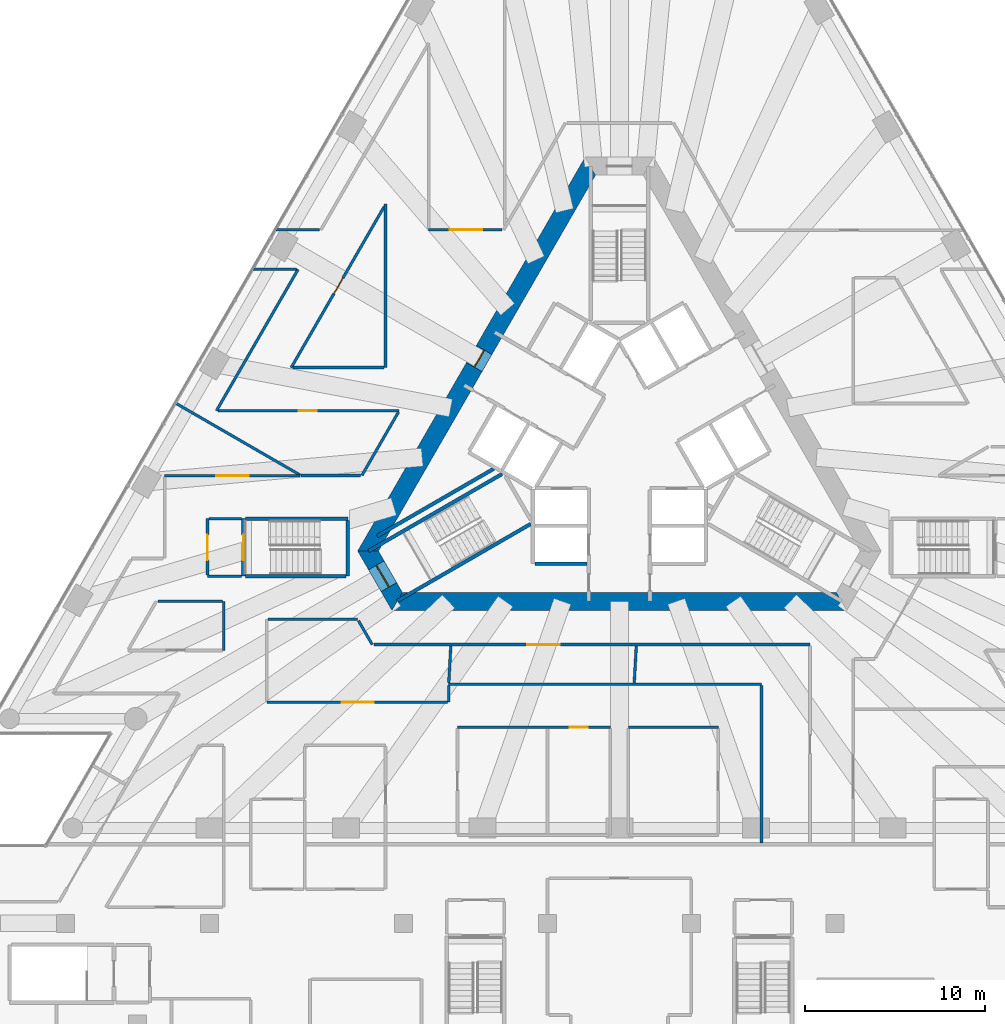
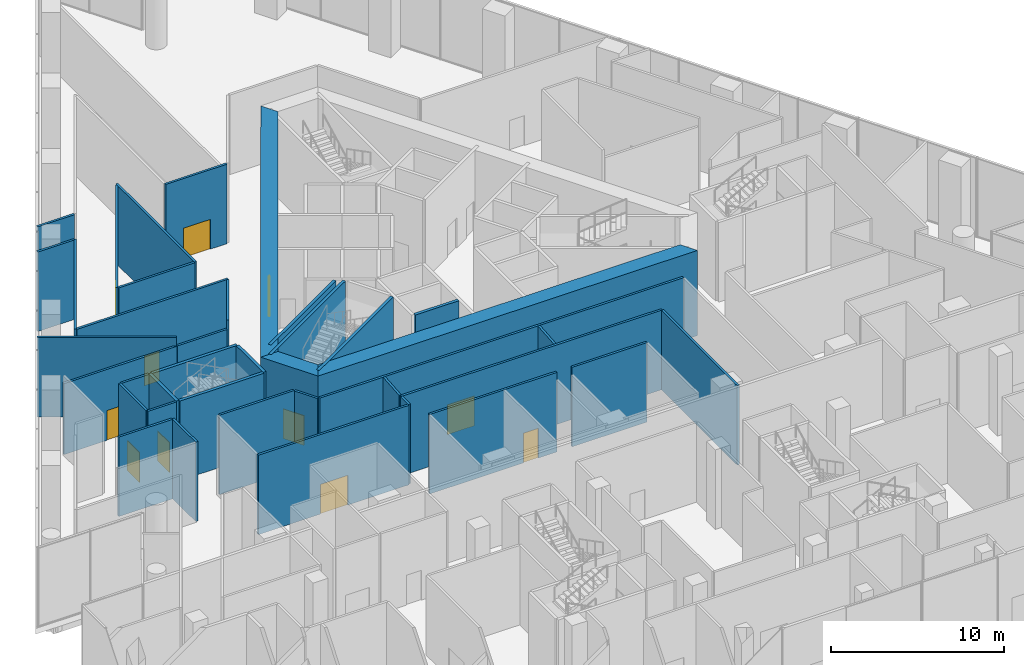
# One storey, part 25 of 36: 39 walls, 11 doors, 11 openings.
"""IFC4 building model written with IfcOpenShell, lengths in metres."""

from ifc_helpers import new_model, si_unit, direction, frame, frame_2d, origin, place, context, subcontext, project, spatial, polyline, rectangle, outline, extrude, material, layer, layer_set, type_object, element, fill, save


model = new_model("IFC4")

# Units and contexts
model_context = context("Model", 3, precision=1e-05, world=origin(), true_north=direction((0.0, 1.0)))
body_context = subcontext(model_context, "Body", "Model", "MODEL_VIEW")
ifc_project = project(units=[si_unit("LENGTHUNIT", "METRE"), si_unit("AREAUNIT", "SQUARE_METRE"), si_unit("VOLUMEUNIT", "CUBIC_METRE"), si_unit("PLANEANGLEUNIT", "RADIAN"), si_unit("MASSUNIT", "GRAM", prefix="KILO")], contexts=[model_context])

# Site, building, storey
site_placement = place(None, origin())
site = spatial("IfcSite", under=ifc_project, at=site_placement, CompositionType="ELEMENT")
building_placement = place(site_placement, origin())
building = spatial("IfcBuilding", under=site, at=building_placement, Name="Triada Interchange Tower", CompositionType="ELEMENT")
storey_placement = place(building_placement, frame((0.0, 0.0, 8.5)))
storey = spatial("IfcBuildingStorey", under=building, at=storey_placement, Name="L01", CompositionType="ELEMENT", Elevation=8.5)

# Walls
ifc_material_1 = material(Name="Concrete C30/37", Category="concrete")
ifc_layer_1 = layer(ifc_material_1, 0.199951171875)
ifc_layer_set_1 = layer_set([ifc_layer_1], Name="CORE WALL 200 EI 120")
wall_type_1 = type_object("IfcWallType", Name="CORE WALL 200 EI 120", PredefinedType="SOLIDWALL", material=ifc_layer_set_1)
wall_1_placement = place(storey_placement, frame((-4.699951171875, -6.89990234375, 0.0), z_axis=(0.0, 0.0, 1.0), x_axis=(1.0, 0.0, 0.0)))
element("IfcWall", 1, at=wall_1_placement, inside=storey, type_object=wall_type_1, Name="Wall L01 192", PredefinedType="SOLIDWALL", context=body_context, shape_type="SweptSolid", body=[
    extrude(rectangle(XDim=2.89990234375, YDim=0.199951171875, at=frame_2d((1.449951171875, 0.0))), origin(), (0.0, 0.0, 1.0), 5.60009765625),
])
ifc_layer_2 = layer(ifc_material_1, 0.199951171875)
ifc_layer_set_2 = layer_set([ifc_layer_2], Name="CORE WALL 200 EI 90")
wall_type_2 = type_object("IfcWallType", Name="CORE WALL 200 EI 90", PredefinedType="SOLIDWALL", material=ifc_layer_set_2)
wall_2_placement = place(storey_placement, frame((-13.470947265625, -5.3720703125, 0.0), z_axis=(0.0, 0.0, 1.0), x_axis=(0.866012469592, 0.50002240201, 0.0)))
element("IfcWall", 2, at=wall_2_placement, inside=storey, type_object=wall_type_2, Name="Wall L01 224", PredefinedType="SOLIDWALL", context=body_context, shape_type="SweptSolid", body=[
    extrude(rectangle(XDim=7.491943359375, YDim=0.199951171875, at=frame_2d((3.74609375, 0.0))), origin(), (0.0, 0.0, 1.0), 5.60009765625),
])
ifc_layer_3 = layer(ifc_material_1, 0.199951171875)
ifc_layer_set_3 = layer_set([ifc_layer_3], Name="CORE WALL 200 REI 240")
wall_type_3 = type_object("IfcWallType", Name="CORE WALL 200 REI 240", PredefinedType="SOLIDWALL", material=ifc_layer_set_3)
wall_3_placement = place(storey_placement, frame((-13.946044921875, -6.2041015625, 0.0), z_axis=(0.0, 0.0, 1.0), x_axis=(0.866036527536, 0.499980732602, 0.0)))
element("IfcWall", 3, at=wall_3_placement, inside=storey, type_object=wall_type_3, Name="Wall L01 226", PredefinedType="SOLIDWALL", context=body_context, shape_type="SweptSolid", body=[
    extrude(rectangle(XDim=8.564208984375, YDim=0.199951171875, at=frame_2d((4.2822265625, 0.0))), origin(), (0.0, 0.0, 1.0), 5.60009765625),
])
wall_4_placement = place(storey_placement, frame((-12.345947265625, -8.97607421875, 0.0), z_axis=(0.0, 0.0, 1.0), x_axis=(0.865987152174, 0.50006624788, 0.0)))
element("IfcWall", 4, at=wall_4_placement, inside=storey, type_object=wall_type_3, Name="Wall L01 228", PredefinedType="SOLIDWALL", context=body_context, shape_type="SweptSolid", body=[
    extrude(rectangle(XDim=8.564697265625, YDim=0.199951171875, at=frame_2d((4.2822265625, 0.0))), origin(), (0.0, 0.0, 1.0), 5.60009765625),
])

# Wall, opening, door
wall_5_placement = place(storey_placement, frame((-20.89990234375, -7.60009765625, 0.0), z_axis=(0.0, 0.0, 1.0), x_axis=(0.0, 1.0, 0.0)))
wall_5 = element("IfcWall", 5, at=wall_5_placement, inside=storey, type_object=wall_type_3, Name="Wall L01 241", PredefinedType="SOLIDWALL", context=body_context, shape_type="SweptSolid", body=[
    extrude(rectangle(XDim=3.2001953125, YDim=0.199951171875, at=frame_2d((1.60009765625, 0.0))), origin(), (0.0, 0.0, 1.0), 5.60009765625),
])
opening_1_placement = place(wall_5_placement, frame((0.89990234375, 0.0, 0.0)))
opening_1 = element("IfcOpeningElement", 6, at=opening_1_placement, cuts=wall_5, Name="Opening D01-19", PredefinedType="OPENING", context=body_context, shape_type="SweptSolid", body=[
    extrude(rectangle(XDim=1.39990234375, YDim=2.10009765625, at=frame_2d((0.699951171875, 1.050048828125))), frame((0.0, 0.10986328125, 0.0), z_axis=(0.0, -1.0, 0.0), x_axis=(1.0, 0.0, 0.0)), (0.0, 0.0, 1.0), 0.219970703125),
])
ifc_material_2 = material(Name="Steel S235 door leaf", Category="steel")
door_type_1 = type_object("IfcDoorType", Name="STAIR DOOR 1400 EI2 90-C5S200", OperationType="DOUBLE_DOOR_SINGLE_SWING", PredefinedType="DOOR", material=ifc_material_2)
door_1_placement = place(opening_1_placement, origin())
door_1 = element("IfcDoor", 7, at=door_1_placement, inside=storey, type_object=door_type_1, Name="Door D01-19 L01", OperationType="DOUBLE_DOOR_SINGLE_SWING", OverallHeight=2.10009765625, OverallWidth=1.39990234375, PredefinedType="DOOR", context=body_context, shape_type="SweptSolid", body=[
    extrude(rectangle(XDim=1.39990234375, YDim=2.10009765625, at=frame_2d((0.699951171875, 1.050048828125))), frame((0.0, 0.02490234375, 0.0), z_axis=(0.0, -1.0, 0.0), x_axis=(1.0, 0.0, 0.0)), (0.0, 0.0, 1.0), 0.050048828125),
])
fill(opening_1, door_1)

# Walls
wall_6_placement = place(storey_placement, frame((-20.800048828125, -4.39990234375, 0.0), z_axis=(0.0, 0.0, 1.0), x_axis=(1.0, 0.0, 0.0)))
element("IfcWall", 8, at=wall_6_placement, inside=storey, type_object=wall_type_3, Name="Wall L01 242", PredefinedType="SOLIDWALL", context=body_context, shape_type="SweptSolid", body=[
    extrude(rectangle(XDim=5.699951171875, YDim=0.199951171875, at=frame_2d((2.85009765625, 0.0))), origin(), (0.0, 0.0, 1.0), 5.60009765625),
])
wall_7_placement = place(storey_placement, frame((-15.10009765625, -7.60009765625, 0.0), z_axis=(0.0, 0.0, 1.0), x_axis=(0.0, 1.0, 0.0)))
element("IfcWall", 9, at=wall_7_placement, inside=storey, type_object=wall_type_3, Name="Wall L01 244", PredefinedType="SOLIDWALL", context=body_context, shape_type="SweptSolid", body=[
    extrude(rectangle(XDim=3.10009765625, YDim=0.199951171875, at=frame_2d((1.550048828125, 0.0))), origin(), (0.0, 0.0, 1.0), 5.60009765625),
])
wall_8_placement = place(storey_placement, frame((-20.800048828125, -7.60009765625, 0.0), z_axis=(0.0, 0.0, 1.0), x_axis=(1.0, 0.0, 0.0)))
element("IfcWall", 10, at=wall_8_placement, inside=storey, type_object=wall_type_3, Name="Wall L01 245", PredefinedType="SOLIDWALL", context=body_context, shape_type="SweptSolid", body=[
    extrude(rectangle(XDim=5.60009765625, YDim=0.199951171875, at=frame_2d((2.800048828125, 0.0))), origin(), (0.0, 0.0, 1.0), 5.60009765625),
])

# Wall, opening, door
ifc_material_3 = material(Name="Concrete C70/85", Category="concrete")
ifc_layer_4 = layer(ifc_material_3, 1.0)
ifc_layer_set_4 = layer_set([ifc_layer_4], Name="Core wall P 1000")
wall_type_4 = type_object("IfcWallType", Name="Core wall P 1000", PredefinedType="SHEAR", material=ifc_layer_set_4)
wall_9_placement = place(storey_placement, frame((-1.616943359375, 15.199951171875, -0.39990234375), z_axis=(0.0, 0.0, 1.0), x_axis=(-0.499992141631, -0.866029940768, 0.0)))
wall_9 = element("IfcWall", 11, at=wall_9_placement, inside=storey, type_object=wall_type_4, Name="Core wall WP02 L01", PredefinedType="SHEAR", context=body_context, shape_type="SweptSolid", body=[
    extrude(outline(polyline([(-0.2890625, -0.4990234375), (1.65625, -0.4990234375), (3.601318359375, -0.499267578125), (5.546630859375, -0.499267578125), (7.491943359375, -0.499267578125), (9.43701171875, -0.49951171875), (11.38232421875, -0.49951171875), (13.32763671875, -0.49951171875), (15.27294921875, -0.49951171875), (17.218017578125, -0.499755859375), (19.163330078125, -0.499755859375), (21.108642578125, -0.499755859375), (23.0537109375, -0.5), (24.9990234375, -0.5), (24.422119140625, 0.5), (22.565673828125, 0.5), (20.709228515625, 0.5), (18.85302734375, 0.5), (16.99658203125, 0.5), (15.14013671875, 0.5), (13.28369140625, 0.5), (11.427490234375, 0.5), (9.571044921875, 0.5), (7.714599609375, 0.5), (5.858154296875, 0.5), (4.001953125, 0.5), (2.1455078125, 0.5), (0.2890625, 0.5), (-0.2890625, -0.4990234375)])), origin(), (0.0, 0.0, 1.0), 6.0),
])
opening_2_placement = place(wall_9_placement, frame((11.804931640625, 0.0, 0.39990234375)))
opening_2 = element("IfcOpeningElement", 12, at=opening_2_placement, cuts=wall_9, Name="Opening D01-74", PredefinedType="OPENING", context=body_context, shape_type="SweptSolid", body=[
    extrude(rectangle(XDim=1.10009765625, YDim=2.10009765625, at=frame_2d((0.550048828125, 1.050048828125))), frame((0.0, 0.510009765625, 0.0), z_axis=(0.0, -1.0, 0.0), x_axis=(1.0, 0.0, 0.0)), (0.0, 0.0, 1.0), 1.02001953125),
])
door_type_2 = type_object("IfcDoorType", Name="FIRE LOBBY DOOR 1100 EI2 90-C5S200", OperationType="NOTDEFINED", PredefinedType="DOOR", material=ifc_material_2)
door_2_placement = place(opening_2_placement, origin())
door_2 = element("IfcDoor", 13, at=door_2_placement, inside=storey, type_object=door_type_2, Name="Door D01-74 L01", OperationType="SINGLE_SWING_LEFT", OverallHeight=2.10009765625, OverallWidth=1.10009765625, PredefinedType="DOOR", context=body_context, shape_type="SweptSolid", body=[
    extrude(rectangle(XDim=1.10009765625, YDim=2.10009765625, at=frame_2d((0.550048828125, 1.050048828125))), frame((0.0, 0.02490234375, 0.0), z_axis=(0.0, -1.0, 0.0), x_axis=(1.0, 0.0, 0.0)), (0.0, 0.0, 1.0), 0.050048828125),
])
fill(opening_2, door_2)

wall_10_placement = place(storey_placement, frame((-13.971923828125, -6.199951171875, -0.39990234375), z_axis=(0.0, 0.0, 1.0), x_axis=(0.500077567175, -0.865980615723, 0.0)))
wall_10 = element("IfcWall", 14, at=wall_10_placement, inside=storey, type_object=wall_type_4, Name="Core wall WP03 L01", PredefinedType="SHEAR", context=body_context, shape_type="SweptSolid", body=[
    extrude(outline(polyline([(-0.2890625, -0.5), (1.616455078125, -0.5), (3.52197265625, -0.5), (2.944091796875, 0.4990234375), (1.61669921875, 0.49951171875), (0.2890625, 0.5), (-0.2890625, -0.5)])), origin(), (0.0, 0.0, 1.0), 6.0),
])
opening_3_placement = place(wall_10_placement, frame((0.9169921875, 0.0, 0.39990234375)))
opening_3 = element("IfcOpeningElement", 15, at=opening_3_placement, cuts=wall_10, Name="Opening D01-72", PredefinedType="OPENING", context=body_context, shape_type="SweptSolid", body=[
    extrude(rectangle(XDim=1.39990234375, YDim=2.10009765625, at=frame_2d((0.699951171875, 1.050048828125))), frame((0.0, 0.510009765625, 0.0), z_axis=(0.0, -1.0, 0.0), x_axis=(1.0, 0.0, 0.0)), (0.0, 0.0, 1.0), 1.02001953125),
])
door_3_placement = place(opening_3_placement, origin())
door_3 = element("IfcDoor", 16, at=door_3_placement, inside=storey, type_object=door_type_1, Name="Door D01-72 L01", OperationType="DOUBLE_DOOR_SINGLE_SWING", OverallHeight=2.10009765625, OverallWidth=1.39990234375, PredefinedType="DOOR", context=body_context, shape_type="SweptSolid", body=[
    extrude(rectangle(XDim=1.39990234375, YDim=2.10009765625, at=frame_2d((0.699951171875, 1.050048828125))), frame((0.0, 0.02490234375, 0.0), z_axis=(0.0, -1.0, 0.0), x_axis=(1.0, 0.0, 0.0)), (0.0, 0.0, 1.0), 0.050048828125),
])
fill(opening_3, door_3)

# Walls
wall_11_placement = place(storey_placement, frame((-12.35498046875, -9.0, -0.39990234375), z_axis=(0.0, 0.0, 1.0), x_axis=(1.0, 0.0, 0.0)))
element("IfcWall", 17, at=wall_11_placement, inside=storey, type_object=wall_type_4, Name="Core wall WP04 L01", PredefinedType="SHEAR", context=body_context, shape_type="SweptSolid", body=[
    extrude(outline(polyline([(-0.2890625, -0.5), (1.65625, -0.5), (3.601318359375, -0.5), (5.546630859375, -0.5), (7.491943359375, -0.5), (9.43701171875, -0.5), (11.38232421875, -0.5), (13.32763671875, -0.5), (15.27294921875, -0.5), (17.218017578125, -0.5), (19.163330078125, -0.5), (21.108642578125, -0.5), (23.0537109375, -0.5), (24.9990234375, -0.5), (24.422119140625, 0.5), (22.565673828125, 0.5), (20.709228515625, 0.5), (18.852783203125, 0.5), (16.996337890625, 0.5), (15.139892578125, 0.5), (13.283447265625, 0.5), (11.4267578125, 0.5), (9.5703125, 0.5), (7.7138671875, 0.5), (5.857421875, 0.5), (4.0009765625, 0.5), (2.14453125, 0.5), (0.2880859375, 0.5), (-0.2890625, -0.5)])), origin(), (0.0, 0.0, 1.0), 6.0),
])
ifc_material_4 = material(Name="Gypsum board partition")
ifc_layer_5 = layer(ifc_material_4, 0.14990234375)
ifc_layer_set_5 = layer_set([ifc_layer_5], Name="PARTITION 150 EI 180")
wall_type_5 = type_object("IfcWallType", Name="PARTITION 150 EI 180", PredefinedType="PARTITIONING", material=ifc_layer_set_5)
wall_12_placement = place(storey_placement, frame((-22.89990234375, -7.60009765625, 0.0), z_axis=(0.0, 0.0, 1.0), x_axis=(1.0, 0.0, 0.0)))
element("IfcWall", 18, at=wall_12_placement, inside=storey, type_object=wall_type_5, Name="Wall L01 6", PredefinedType="PARTITIONING", context=body_context, shape_type="SweptSolid", body=[
    extrude(rectangle(XDim=1.89990234375, YDim=0.14990234375, at=frame_2d((0.949951171875, 0.0))), origin(), (0.0, 0.0, 1.0), 5.60009765625),
])

# Wall, opening, door
wall_13_placement = place(storey_placement, frame((-22.89990234375, -7.52490234375, 0.0), z_axis=(0.0, 0.0, 1.0), x_axis=(0.0, 1.0, 0.0)))
wall_13 = element("IfcWall", 19, at=wall_13_placement, inside=storey, type_object=wall_type_5, Name="Wall L01 8", PredefinedType="PARTITIONING", context=body_context, shape_type="SweptSolid", body=[
    extrude(rectangle(XDim=3.125, YDim=0.14990234375, at=frame_2d((1.5625, 0.0))), origin(), (0.0, 0.0, 1.0), 5.60009765625),
])
opening_4_placement = place(wall_13_placement, frame((0.824951171875, 0.0, 0.0)))
opening_4 = element("IfcOpeningElement", 20, at=opening_4_placement, cuts=wall_13, Name="Opening D01-20", PredefinedType="OPENING", context=body_context, shape_type="SweptSolid", body=[
    extrude(rectangle(XDim=1.39990234375, YDim=2.10009765625, at=frame_2d((0.699951171875, 1.050048828125))), frame((0.0, 0.0849609375, 0.0), z_axis=(0.0, -1.0, 0.0), x_axis=(1.0, 0.0, 0.0)), (0.0, 0.0, 1.0), 0.169921875),
])
door_4_placement = place(opening_4_placement, origin())
door_4 = element("IfcDoor", 21, at=door_4_placement, inside=storey, type_object=door_type_1, Name="Door D01-20 L01", OperationType="DOUBLE_DOOR_SINGLE_SWING", OverallHeight=2.10009765625, OverallWidth=1.39990234375, PredefinedType="DOOR", context=body_context, shape_type="SweptSolid", body=[
    extrude(rectangle(XDim=1.39990234375, YDim=2.10009765625, at=frame_2d((0.699951171875, 1.050048828125))), frame((0.0, 0.02490234375, 0.0), z_axis=(0.0, -1.0, 0.0), x_axis=(1.0, 0.0, 0.0)), (0.0, 0.0, 1.0), 0.050048828125),
])
fill(opening_4, door_4)

# Wall
wall_14_placement = place(storey_placement, frame((-22.824951171875, -4.39990234375, 0.0), z_axis=(0.0, 0.0, 1.0), x_axis=(1.0, 0.0, 0.0)))
element("IfcWall", 22, at=wall_14_placement, inside=storey, type_object=wall_type_5, Name="Wall L01 9", PredefinedType="PARTITIONING", context=body_context, shape_type="SweptSolid", body=[
    extrude(rectangle(XDim=1.824951171875, YDim=0.14990234375, at=frame_2d((0.91259765625, 0.0))), origin(), (0.0, 0.0, 1.0), 5.60009765625),
])

# Wall, opening, door
ifc_layer_6 = layer(ifc_material_4, 0.14990234375)
ifc_layer_set_6 = layer_set([ifc_layer_6], Name="PARTITION 150 EI 90")
wall_type_6 = type_object("IfcWallType", Name="PARTITION 150 EI 90", PredefinedType="PARTITIONING", material=ifc_layer_set_6)
wall_15_placement = place(storey_placement, frame((-25.280029296875, -2.02001953125, 0.0), z_axis=(0.0, 0.0, 1.0), x_axis=(1.0, 0.0, 0.0)))
wall_15 = element("IfcWall", 23, at=wall_15_placement, inside=storey, type_object=wall_type_6, Name="Wall L01 57", PredefinedType="PARTITIONING", context=body_context, shape_type="SweptSolid", body=[
    extrude(rectangle(XDim=7.532958984375, YDim=0.14990234375, at=frame_2d((3.7666015625, 0.0))), origin(), (0.0, 0.0, 1.0), 5.0),
])
opening_5_placement = place(wall_15_placement, frame((2.865966796875, 0.0, 0.0)))
opening_5 = element("IfcOpeningElement", 24, at=opening_5_placement, cuts=wall_15, Name="Opening D01-62", PredefinedType="OPENING", context=body_context, shape_type="SweptSolid", body=[
    extrude(rectangle(XDim=1.800048828125, YDim=2.10009765625, at=frame_2d((0.89990234375, 1.050048828125))), frame((0.0, 0.0849609375, 0.0), z_axis=(0.0, -1.0, 0.0), x_axis=(1.0, 0.0, 0.0)), (0.0, 0.0, 1.0), 0.169921875),
])
door_type_3 = type_object("IfcDoorType", Name="SHOP AND HALL ENTRANCE DOOR 1800 EI2 90-C5S200", OperationType="DOUBLE_DOOR_SINGLE_SWING", PredefinedType="DOOR", material=ifc_material_2)
door_5_placement = place(opening_5_placement, origin())
door_5 = element("IfcDoor", 25, at=door_5_placement, inside=storey, type_object=door_type_3, Name="Door D01-62 L01", OperationType="DOUBLE_DOOR_SINGLE_SWING", OverallHeight=2.10009765625, OverallWidth=1.800048828125, PredefinedType="DOOR", context=body_context, shape_type="SweptSolid", body=[
    extrude(rectangle(XDim=1.800048828125, YDim=2.10009765625, at=frame_2d((0.89990234375, 1.050048828125))), frame((0.0, 0.02490234375, 0.0), z_axis=(0.0, -1.0, 0.0), x_axis=(1.0, 0.0, 0.0)), (0.0, 0.0, 1.0), 0.050048828125),
])
fill(opening_5, door_5)

# Walls
wall_16_placement = place(storey_placement, frame((-22.40087890625, 1.60009765625, 0.0), z_axis=(0.0, 0.0, 1.0), x_axis=(0.499995671072, 0.866027903078, 0.0)))
element("IfcWall", 26, at=wall_16_placement, inside=storey, type_object=wall_type_6, Name="Wall L01 62", PredefinedType="PARTITIONING", context=body_context, shape_type="SweptSolid", body=[
    extrude(rectangle(XDim=9.07568359375, YDim=0.14990234375, at=frame_2d((4.537841796875, 0.0))), origin(), (0.0, 0.0, 1.0), 5.60009765625),
])
wall_17_placement = place(storey_placement, frame((-22.0, -11.72509765625, 0.0), z_axis=(0.0, 0.0, 1.0), x_axis=(0.0, 1.0, 0.0)))
element("IfcWall", 27, at=wall_17_placement, inside=storey, type_object=wall_type_6, Name="Wall L01 72", PredefinedType="PARTITIONING", context=body_context, shape_type="SweptSolid", body=[
    extrude(rectangle(XDim=2.72509765625, YDim=0.14990234375, at=frame_2d((1.362548828125, 0.0))), origin(), (0.0, 0.0, 1.0), 5.60009765625),
])
wall_18_placement = place(storey_placement, frame((-24.69189453125, 2.032958984375, 0.0), z_axis=(0.0, 0.0, 1.0), x_axis=(0.865998774365, -0.50004612067, 0.0)))
element("IfcWall", 28, at=wall_18_placement, inside=storey, type_object=wall_type_6, Name="Wall L01 84", PredefinedType="PARTITIONING", context=body_context, shape_type="SweptSolid", body=[
    extrude(rectangle(XDim=8.031005859375, YDim=0.14990234375, at=frame_2d((4.015625, 0.0))), origin(), (0.0, 0.0, 1.0), 5.60009765625),
])
wall_19_placement = place(storey_placement, frame((-20.403076171875, 9.4599609375, 0.0), z_axis=(0.0, 0.0, 1.0), x_axis=(1.0, 0.0, 0.0)))
element("IfcWall", 29, at=wall_19_placement, inside=storey, type_object=wall_type_6, Name="Wall L01 85", PredefinedType="PARTITIONING", context=body_context, shape_type="SweptSolid", body=[
    extrude(rectangle(XDim=2.4541015625, YDim=0.14990234375, at=frame_2d((1.22705078125, 0.0))), origin(), (0.0, 0.0, 1.0), 5.60009765625),
])

# Wall, opening, door
wall_20_placement = place(storey_placement, frame((-22.31494140625, 1.60009765625, 0.0), z_axis=(0.0, 0.0, 1.0), x_axis=(1.0, 0.0, 0.0)))
wall_20 = element("IfcWall", 30, at=wall_20_placement, inside=storey, type_object=wall_type_6, Name="Wall L01 87", PredefinedType="PARTITIONING", context=body_context, shape_type="SweptSolid", body=[
    extrude(rectangle(XDim=10.074951171875, YDim=0.14990234375, at=frame_2d((5.03759765625, 0.0))), origin(), (0.0, 0.0, 1.0), 5.60009765625),
])
opening_6_placement = place(wall_20_placement, frame((4.493896484375, 0.0, 0.0)))
opening_6 = element("IfcOpeningElement", 31, at=opening_6_placement, cuts=wall_20, Name="Opening D01-63", PredefinedType="OPENING", context=body_context, shape_type="SweptSolid", body=[
    extrude(rectangle(XDim=1.0, YDim=2.10009765625, at=frame_2d((0.5, 1.050048828125))), frame((0.0, 0.0849609375, 0.0), z_axis=(0.0, -1.0, 0.0), x_axis=(1.0, 0.0, 0.0)), (0.0, 0.0, 1.0), 0.169921875),
])
door_type_4 = type_object("IfcDoorType", Name="ROOM DOOR 1000 EI2 90-C5S200", OperationType="NOTDEFINED", PredefinedType="DOOR", material=ifc_material_2)
door_6_placement = place(opening_6_placement, origin())
door_6 = element("IfcDoor", 32, at=door_6_placement, inside=storey, type_object=door_type_4, Name="Door D01-63 L01", OperationType="SINGLE_SWING_RIGHT", OverallHeight=2.10009765625, OverallWidth=1.0, PredefinedType="DOOR", context=body_context, shape_type="SweptSolid", body=[
    extrude(rectangle(XDim=1.0, YDim=2.10009765625, at=frame_2d((0.5, 1.050048828125))), frame((0.0, 0.02490234375, 0.0), z_axis=(0.0, -1.0, 0.0), x_axis=(1.0, 0.0, 0.0)), (0.0, 0.0, 1.0), 0.050048828125),
])
fill(opening_6, door_6)

# Walls
wall_21_placement = place(storey_placement, frame((-14.318115234375, -2.0, 0.0), z_axis=(0.0, 0.0, 1.0), x_axis=(0.500009753642, 0.866019772443, 0.0)))
element("IfcWall", 33, at=wall_21_placement, inside=storey, type_object=wall_type_6, Name="Wall L01 88", PredefinedType="PARTITIONING", context=body_context, shape_type="SweptSolid", body=[
    extrude(rectangle(XDim=4.0703125, YDim=0.14990234375, at=frame_2d((2.03515625, 0.0))), origin(), (0.0, 0.0, 1.0), 5.60009765625),
])
wall_22_placement = place(storey_placement, frame((-17.7099609375, -2.0, 0.0), z_axis=(0.0, 0.0, 1.0), x_axis=(1.0, 0.0, 0.0)))
element("IfcWall", 34, at=wall_22_placement, inside=storey, type_object=wall_type_6, Name="Wall L01 90", PredefinedType="PARTITIONING", context=body_context, shape_type="SweptSolid", body=[
    extrude(rectangle(XDim=3.304931640625, YDim=0.14990234375, at=frame_2d((1.65234375, 0.0))), origin(), (0.0, 0.0, 1.0), 5.0),
])
wall_23_placement = place(storey_placement, frame((-19.133056640625, 11.659912109375, 0.0), z_axis=(0.0, 0.0, 1.0), x_axis=(1.0, 0.0, 0.0)))
element("IfcWall", 35, at=wall_23_placement, inside=storey, type_object=wall_type_6, Name="Wall L01 92", PredefinedType="PARTITIONING", context=body_context, shape_type="SweptSolid", body=[
    extrude(rectangle(XDim=2.4541015625, YDim=0.14990234375, at=frame_2d((1.22705078125, 0.0))), origin(), (0.0, 0.0, 1.0), 5.60009765625),
])

# Wall, opening, door
wall_24_placement = place(storey_placement, frame((-10.60009765625, 11.659912109375, 0.0), z_axis=(0.0, 0.0, 1.0), x_axis=(1.0, 0.0, 0.0)))
wall_24 = element("IfcWall", 36, at=wall_24_placement, inside=storey, type_object=wall_type_6, Name="Wall L01 93", PredefinedType="PARTITIONING", context=body_context, shape_type="SweptSolid", body=[
    extrude(rectangle(XDim=4.08203125, YDim=0.14990234375, at=frame_2d((2.041015625, 0.0))), origin(), (0.0, 0.0, 1.0), 5.60009765625),
])
opening_7_placement = place(wall_24_placement, frame((1.1689453125, 0.0, 0.0)))
opening_7 = element("IfcOpeningElement", 37, at=opening_7_placement, cuts=wall_24, Name="Opening D01-64", PredefinedType="OPENING", context=body_context, shape_type="SweptSolid", body=[
    extrude(rectangle(XDim=1.800048828125, YDim=2.10009765625, at=frame_2d((0.89990234375, 1.050048828125))), frame((0.0, 0.0849609375, 0.0), z_axis=(0.0, -1.0, 0.0), x_axis=(1.0, 0.0, 0.0)), (0.0, 0.0, 1.0), 0.169921875),
])
door_7_placement = place(opening_7_placement, origin())
door_7 = element("IfcDoor", 38, at=door_7_placement, inside=storey, type_object=door_type_3, Name="Door D01-64 L01", OperationType="DOUBLE_DOOR_SINGLE_SWING", OverallHeight=2.10009765625, OverallWidth=1.800048828125, PredefinedType="DOOR", context=body_context, shape_type="SweptSolid", body=[
    extrude(rectangle(XDim=1.800048828125, YDim=2.10009765625, at=frame_2d((0.89990234375, 1.050048828125))), frame((0.0, 0.02490234375, 0.0), z_axis=(0.0, -1.0, 0.0), x_axis=(1.0, 0.0, 0.0)), (0.0, 0.0, 1.0), 0.050048828125),
])
fill(opening_7, door_7)

# Walls
wall_25_placement = place(storey_placement, frame((-13.0, 4.0, 0.0), z_axis=(0.0, 0.0, 1.0), x_axis=(0.0, 1.0, 0.0)))
element("IfcWall", 39, at=wall_25_placement, inside=storey, type_object=wall_type_6, Name="Wall L01 97", PredefinedType="PARTITIONING", context=body_context, shape_type="SweptSolid", body=[
    extrude(rectangle(XDim=9.0830078125, YDim=0.14990234375, at=frame_2d((4.54150390625, 0.0))), origin(), (0.0, 0.0, 1.0), 5.60009765625),
])
wall_26_placement = place(storey_placement, frame((-9.489013671875, -13.60009765625, 0.0), z_axis=(0.0, 0.0, 1.0), x_axis=(1.0, 0.0, 0.0)))
element("IfcWall", 40, at=wall_26_placement, inside=storey, type_object=wall_type_6, Name="Wall L01 109", PredefinedType="PARTITIONING", context=body_context, shape_type="SweptSolid", body=[
    extrude(rectangle(XDim=17.388916015625, YDim=0.14990234375, at=frame_2d((8.6943359375, 0.0))), origin(), (0.0, 0.0, 1.0), 5.60009765625),
])
wall_27_placement = place(storey_placement, frame((-9.485107421875, -13.52490234375, 0.0), z_axis=(0.0, 0.0, 1.0), x_axis=(0.055535883175, 0.99845669194, 0.0)))
element("IfcWall", 41, at=wall_27_placement, inside=storey, type_object=wall_type_6, Name="Wall L01 110", PredefinedType="PARTITIONING", context=body_context, shape_type="SweptSolid", body=[
    extrude(rectangle(XDim=2.052978515625, YDim=0.14990234375, at=frame_2d((1.0263671875, 0.0))), origin(), (0.0, 0.0, 1.0), 5.60009765625),
])
wall_28_placement = place(storey_placement, frame((-9.489013671875, -14.60009765625, 0.0), z_axis=(0.0, 0.0, 1.0), x_axis=(0.0, 1.0, 0.0)))
element("IfcWall", 42, at=wall_28_placement, inside=storey, type_object=wall_type_6, Name="Wall L01 111", PredefinedType="PARTITIONING", context=body_context, shape_type="SweptSolid", body=[
    extrude(rectangle(XDim=0.925048828125, YDim=0.14990234375, at=frame_2d((0.46240234375, 0.0))), origin(), (0.0, 0.0, 1.0), 5.60009765625),
])

# Wall, opening, door
wall_29_placement = place(storey_placement, frame((-19.60009765625, -14.60009765625, 0.0), z_axis=(0.0, 0.0, 1.0), x_axis=(1.0, 0.0, 0.0)))
wall_29 = element("IfcWall", 43, at=wall_29_placement, inside=storey, type_object=wall_type_6, Name="Wall L01 112", PredefinedType="PARTITIONING", context=body_context, shape_type="SweptSolid", body=[
    extrude(rectangle(XDim=10.0361328125, YDim=0.14990234375, at=frame_2d((5.01806640625, 0.0))), origin(), (0.0, 0.0, 1.0), 5.60009765625),
])
opening_8_placement = place(wall_29_placement, frame((4.156005859375, 0.0, 0.0)))
opening_8 = element("IfcOpeningElement", 44, at=opening_8_placement, cuts=wall_29, Name="Opening D01-57", PredefinedType="OPENING", context=body_context, shape_type="SweptSolid", body=[
    extrude(rectangle(XDim=1.800048828125, YDim=2.10009765625, at=frame_2d((0.89990234375, 1.050048828125))), frame((0.0, 0.0849609375, 0.0), z_axis=(0.0, -1.0, 0.0), x_axis=(1.0, 0.0, 0.0)), (0.0, 0.0, 1.0), 0.169921875),
])
door_8_placement = place(opening_8_placement, origin())
door_8 = element("IfcDoor", 45, at=door_8_placement, inside=storey, type_object=door_type_3, Name="Door D01-57 L01", OperationType="DOUBLE_DOOR_SINGLE_SWING", OverallHeight=2.10009765625, OverallWidth=1.800048828125, PredefinedType="DOOR", context=body_context, shape_type="SweptSolid", body=[
    extrude(rectangle(XDim=1.800048828125, YDim=2.10009765625, at=frame_2d((0.89990234375, 1.050048828125))), frame((0.0, 0.02490234375, 0.0), z_axis=(0.0, -1.0, 0.0), x_axis=(1.0, 0.0, 0.0)), (0.0, 0.0, 1.0), 0.050048828125),
])
fill(opening_8, door_8)

# Walls
wall_30_placement = place(storey_placement, frame((-19.52490234375, -10.0, 0.0), z_axis=(0.0, 0.0, 1.0), x_axis=(1.0, 0.0, 0.0)))
element("IfcWall", 46, at=wall_30_placement, inside=storey, type_object=wall_type_6, Name="Wall L01 114", PredefinedType="PARTITIONING", context=body_context, shape_type="SweptSolid", body=[
    extrude(rectangle(XDim=4.975830078125, YDim=0.14990234375, at=frame_2d((2.48779296875, 0.0))), origin(), (0.0, 0.0, 1.0), 5.60009765625),
])
wall_31_placement = place(storey_placement, frame((-14.506103515625, -10.074951171875, 0.0), z_axis=(0.0, 0.0, 1.0), x_axis=(0.500086174919, -0.865975644955, 0.0)))
element("IfcWall", 47, at=wall_31_placement, inside=storey, type_object=wall_type_6, Name="Wall L01 115", PredefinedType="PARTITIONING", context=body_context, shape_type="SweptSolid", body=[
    extrude(rectangle(XDim=1.530029296875, YDim=0.14990234375, at=frame_2d((0.76513671875, 0.0))), origin(), (0.0, 0.0, 1.0), 5.60009765625),
])

# Wall, opening, door
wall_32_placement = place(storey_placement, frame((-13.654052734375, -11.39990234375, 0.0), z_axis=(0.0, 0.0, 1.0), x_axis=(1.0, 0.0, 0.0)))
wall_32 = element("IfcWall", 48, at=wall_32_placement, inside=storey, type_object=wall_type_6, Name="Wall L01 116", PredefinedType="PARTITIONING", context=body_context, shape_type="SweptSolid", body=[
    extrude(rectangle(XDim=24.254150390625, YDim=0.14990234375, at=frame_2d((12.126953125, 0.0))), origin(), (0.0, 0.0, 1.0), 5.60009765625),
])
opening_9_placement = place(wall_32_placement, frame((8.54296875, 0.0, 0.0)))
opening_9 = element("IfcOpeningElement", 49, at=opening_9_placement, cuts=wall_32, Name="Opening D01-58", PredefinedType="OPENING", context=body_context, shape_type="SweptSolid", body=[
    extrude(rectangle(XDim=1.800048828125, YDim=2.10009765625, at=frame_2d((0.89990234375, 1.050048828125))), frame((0.0, 0.0849609375, 0.0), z_axis=(0.0, -1.0, 0.0), x_axis=(1.0, 0.0, 0.0)), (0.0, 0.0, 1.0), 0.169921875),
])
door_9_placement = place(opening_9_placement, origin())
door_9 = element("IfcDoor", 50, at=door_9_placement, inside=storey, type_object=door_type_3, Name="Door D01-58 L01", OperationType="DOUBLE_DOOR_SINGLE_SWING", OverallHeight=2.10009765625, OverallWidth=1.800048828125, PredefinedType="DOOR", context=body_context, shape_type="SweptSolid", body=[
    extrude(rectangle(XDim=1.800048828125, YDim=2.10009765625, at=frame_2d((0.89990234375, 1.050048828125))), frame((0.0, 0.02490234375, 0.0), z_axis=(0.0, -1.0, 0.0), x_axis=(1.0, 0.0, 0.0)), (0.0, 0.0, 1.0), 0.050048828125),
])
fill(opening_9, door_9)

wall_33_placement = place(storey_placement, frame((-9.0, -16.0, 0.0), z_axis=(0.0, 0.0, 1.0), x_axis=(1.0, 0.0, 0.0)))
wall_33 = element("IfcWall", 51, at=wall_33_placement, inside=storey, type_object=wall_type_6, Name="Wall L01 122", PredefinedType="PARTITIONING", context=body_context, shape_type="SweptSolid", body=[
    extrude(rectangle(XDim=8.5, YDim=0.14990234375, at=frame_2d((4.25, 0.0))), origin(), (0.0, 0.0, 1.0), 5.60009765625),
])
opening_10_placement = place(wall_33_placement, frame((6.25, 0.0, 0.0)))
opening_10 = element("IfcOpeningElement", 52, at=opening_10_placement, cuts=wall_33, Name="Opening D01-45", PredefinedType="OPENING", context=body_context, shape_type="SweptSolid", body=[
    extrude(rectangle(XDim=1.0, YDim=2.10009765625, at=frame_2d((0.5, 1.050048828125))), frame((0.0, 0.0849609375, 0.0), z_axis=(0.0, -1.0, 0.0), x_axis=(1.0, 0.0, 0.0)), (0.0, 0.0, 1.0), 0.169921875),
])
door_type_5 = type_object("IfcDoorType", Name="ROOM DOOR 1000 EI2 45-C5S200", OperationType="NOTDEFINED", PredefinedType="DOOR", material=ifc_material_2)
door_10_placement = place(opening_10_placement, origin())
door_10 = element("IfcDoor", 53, at=door_10_placement, inside=storey, type_object=door_type_5, Name="Door D01-45 L01", OperationType="SINGLE_SWING_LEFT", OverallHeight=2.10009765625, OverallWidth=1.0, PredefinedType="DOOR", context=body_context, shape_type="SweptSolid", body=[
    extrude(rectangle(XDim=1.0, YDim=2.10009765625, at=frame_2d((0.5, 1.050048828125))), frame((0.0, 0.02490234375, 0.0), z_axis=(0.0, -1.0, 0.0), x_axis=(1.0, 0.0, 0.0)), (0.0, 0.0, 1.0), 0.050048828125),
])
fill(opening_10, door_10)

# Walls
wall_34_placement = place(storey_placement, frame((0.5, -16.0, 0.0), z_axis=(0.0, 0.0, 1.0), x_axis=(1.0, 0.0, 0.0)))
element("IfcWall", 54, at=wall_34_placement, inside=storey, type_object=wall_type_6, Name="Wall L01 123", PredefinedType="PARTITIONING", context=body_context, shape_type="SweptSolid", body=[
    extrude(rectangle(XDim=5.0, YDim=0.14990234375, at=frame_2d((2.5, 0.0))), origin(), (0.0, 0.0, 1.0), 5.60009765625),
])
wall_35_placement = place(storey_placement, frame((7.89990234375, -22.425048828125, 0.0), z_axis=(0.0, 0.0, 1.0), x_axis=(0.0, 1.0, 0.0)))
element("IfcWall", 55, at=wall_35_placement, inside=storey, type_object=wall_type_6, Name="Wall L01 130", PredefinedType="PARTITIONING", context=body_context, shape_type="SweptSolid", body=[
    extrude(rectangle(XDim=8.75, YDim=0.14990234375, at=frame_2d((4.375, 0.0))), origin(), (0.0, 0.0, 1.0), 5.60009765625),
])
wall_36_placement = place(storey_placement, frame((0.826904296875, -13.52490234375, 0.0), z_axis=(0.0, 0.0, 1.0), x_axis=(0.055535883175, 0.99845669194, 0.0)))
element("IfcWall", 56, at=wall_36_placement, inside=storey, type_object=wall_type_6, Name="Wall L01 131", PredefinedType="PARTITIONING", context=body_context, shape_type="SweptSolid", body=[
    extrude(rectangle(XDim=2.052978515625, YDim=0.14990234375, at=frame_2d((1.0263671875, 0.0))), origin(), (0.0, 0.0, 1.0), 5.60009765625),
])

# Wall, opening, door
wall_37_placement = place(storey_placement, frame((-18.243896484375, 4.0, 0.0), z_axis=(0.0, 0.0, 1.0), x_axis=(0.499999792389, 0.866025523649, 0.0)))
wall_37 = element("IfcWall", 57, at=wall_37_placement, inside=storey, type_object=wall_type_6, Name="Wall L01 172", PredefinedType="PARTITIONING", context=body_context, shape_type="SweptSolid", body=[
    extrude(rectangle(XDim=10.337890625, YDim=0.14990234375, at=frame_2d((5.1689453125, 0.0))), origin(), (0.0, 0.0, 1.0), 5.60009765625),
])
opening_11_placement = place(wall_37_placement, frame((4.743896484375, 0.0, 0.0)))
opening_11 = element("IfcOpeningElement", 58, at=opening_11_placement, cuts=wall_37, Name="Opening D01-47", PredefinedType="OPENING", context=body_context, shape_type="SweptSolid", body=[
    extrude(rectangle(XDim=1.0, YDim=2.10009765625, at=frame_2d((0.5, 1.050048828125))), frame((0.0, 0.0849609375, 0.0), z_axis=(0.0, -1.0, 0.0), x_axis=(1.0, 0.0, 0.0)), (0.0, 0.0, 1.0), 0.169921875),
])
door_11_placement = place(opening_11_placement, origin())
door_11 = element("IfcDoor", 59, at=door_11_placement, inside=storey, type_object=door_type_4, Name="Door D01-47 L01", OperationType="SINGLE_SWING_RIGHT", OverallHeight=2.10009765625, OverallWidth=1.0, PredefinedType="DOOR", context=body_context, shape_type="SweptSolid", body=[
    extrude(rectangle(XDim=1.0, YDim=2.10009765625, at=frame_2d((0.5, 1.050048828125))), frame((0.0, 0.02490234375, 0.0), z_axis=(0.0, -1.0, 0.0), x_axis=(1.0, 0.0, 0.0)), (0.0, 0.0, 1.0), 0.050048828125),
])
fill(opening_11, door_11)

# Walls
wall_38_placement = place(storey_placement, frame((-25.6630859375, -9.0, 0.0), z_axis=(0.0, 0.0, 1.0), x_axis=(1.0, 0.0, 0.0)))
element("IfcWall", 60, at=wall_38_placement, inside=storey, type_object=wall_type_6, Name="Wall L01 173", PredefinedType="PARTITIONING", context=body_context, shape_type="SweptSolid", body=[
    extrude(rectangle(XDim=3.588134765625, YDim=0.14990234375, at=frame_2d((1.7939453125, 0.0))), origin(), (0.0, 0.0, 1.0), 5.60009765625),
])
wall_39_placement = place(storey_placement, frame((-18.157958984375, 4.0, 0.0), z_axis=(0.0, 0.0, 1.0), x_axis=(1.0, 0.0, 0.0)))
element("IfcWall", 61, at=wall_39_placement, inside=storey, type_object=wall_type_6, Name="Wall L01 174", PredefinedType="PARTITIONING", context=body_context, shape_type="SweptSolid", body=[
    extrude(rectangle(XDim=5.0830078125, YDim=0.14990234375, at=frame_2d((2.54150390625, 0.0))), origin(), (0.0, 0.0, 1.0), 5.60009765625),
])

save(model, "model.ifc")
